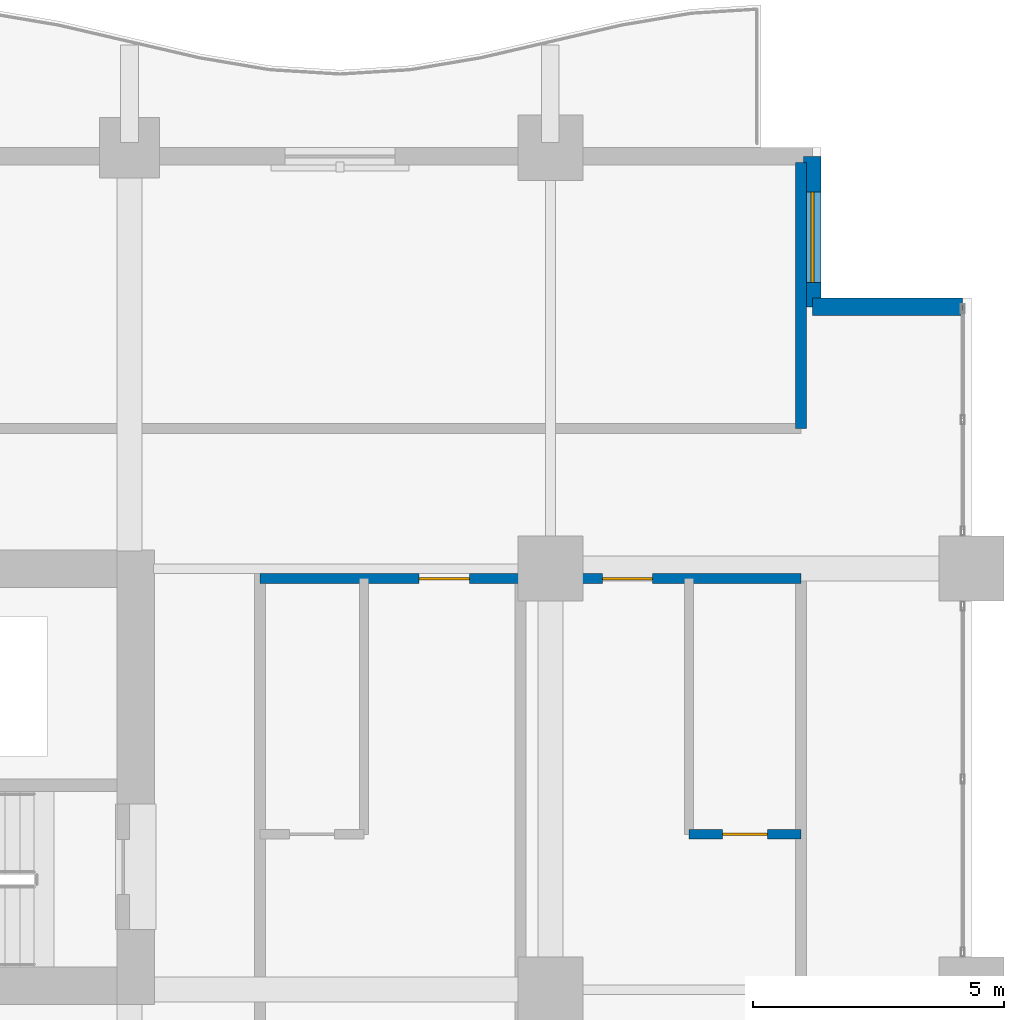
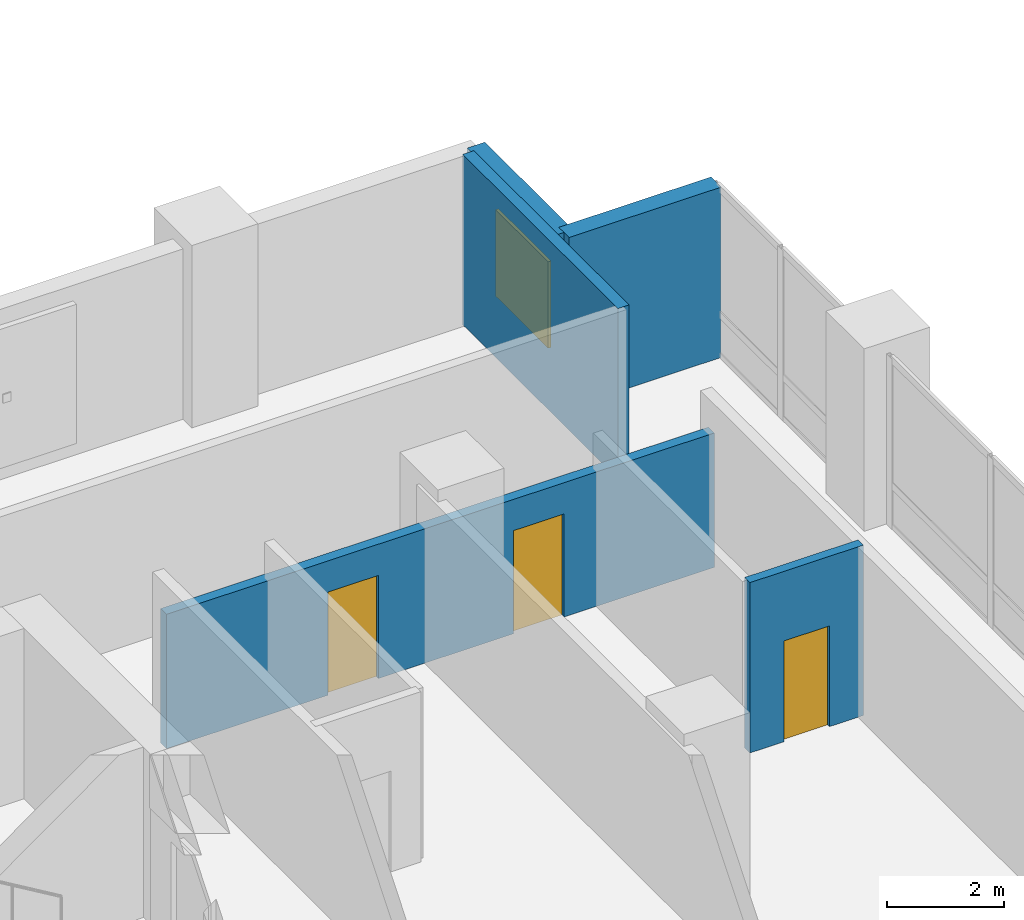
# One storey, part 15 of 24: 5 walls, 3 doors, 1 window, 4 openings.
"""IFC4 building model written with IfcOpenShell, lengths in metres."""

from ifc_helpers import new_model, si_unit, direction, frame, frame_2d, origin, place, context, subcontext, project, spatial, rectangle, extrude, material, layer, layer_set, type_object, element, fill, save


model = new_model("IFC4")

# Units and contexts
model_context = context("Model", 3, precision=1e-05, world=origin(), true_north=direction((0.0, 1.0)))
body_context = subcontext(model_context, "Body", "Model", "MODEL_VIEW")
ifc_project = project(units=[si_unit("LENGTHUNIT", "METRE"), si_unit("AREAUNIT", "SQUARE_METRE"), si_unit("VOLUMEUNIT", "CUBIC_METRE"), si_unit("PLANEANGLEUNIT", "RADIAN"), si_unit("MASSUNIT", "GRAM", prefix="KILO")], contexts=[model_context])

# Site, building, storey
site_placement = place(None, origin())
site = spatial("IfcSite", under=ifc_project, at=site_placement, CompositionType="ELEMENT")
building_placement = place(site_placement, origin())
building = spatial("IfcBuilding", under=site, at=building_placement, Name="Koriwani Terraces Tower", CompositionType="ELEMENT")
storey_placement = place(building_placement, frame((0.0, 0.0, 103.800048828125)))
storey = spatial("IfcBuildingStorey", under=building, at=storey_placement, Name="L24", CompositionType="ELEMENT", Elevation=103.800048828125)

# Wall, openings, doors
ifc_material_1 = material(Name="Autoclaved Cellular Concrete Blockwork", Category="masonry")
ifc_layer_1 = layer(ifc_material_1, 0.199951171875, Name="Autoclaved Cellular Concrete Blockwork")
ifc_layer_set_1 = layer_set([ifc_layer_1], Name="Autoclaved Cellular Concrete Blockwork")
wall_type_1 = type_object("IfcWallType", Name="WALL_CORRIDOR_200", PredefinedType="PARTITIONING", material=ifc_layer_set_1)
wall_1_placement = place(storey_placement, frame((61.39990234375, 25.0, 0.0), z_axis=(0.0, 0.0, 1.0), x_axis=(1.0, 0.0, 0.0)))
wall_1 = element("IfcWall", 1, at=wall_1_placement, inside=storey, type_object=wall_type_1, Name="L24 Interior Wall WCOR-L24-SE-0", PredefinedType="PARTITIONING", context=body_context, shape_type="SweptSolid", body=[
    extrude(rectangle(XDim=10.800048828125, YDim=0.199951171875, at=frame_2d((5.39990234375, 0.0))), origin(), (0.0, 0.0, 1.0), 2.800048828125),
])
opening_1_placement = place(wall_1_placement, frame((3.179931640625, 0.0, 0.0)))
opening_1 = element("IfcOpeningElement", 2, at=opening_1_placement, cuts=wall_1, Name="Opening D-05", PredefinedType="OPENING", context=body_context, shape_type="SweptSolid", body=[
    extrude(rectangle(XDim=1.0, YDim=2.14990234375, at=frame_2d((0.5, 1.074951171875))), frame((0.0, 0.10986328125, 0.0), z_axis=(0.0, -1.0, 0.0), x_axis=(1.0, 0.0, 0.0)), (0.0, 0.0, 1.0), 0.219970703125),
])
opening_2_placement = place(wall_1_placement, frame((6.840087890625, 0.0, 0.0)))
opening_2 = element("IfcOpeningElement", 3, at=opening_2_placement, cuts=wall_1, Name="Opening D-05", PredefinedType="OPENING", context=body_context, shape_type="SweptSolid", body=[
    extrude(rectangle(XDim=1.0, YDim=2.14990234375, at=frame_2d((0.5, 1.074951171875))), frame((0.0, 0.10986328125, 0.0), z_axis=(0.0, -1.0, 0.0), x_axis=(1.0, 0.0, 0.0)), (0.0, 0.0, 1.0), 0.219970703125),
])
ifc_material_2 = material(Name="Architectural Oak Fire Door", Category="wood")
door_type_1 = type_object("IfcDoorType", Name="DOOR_SUITE_ENTRY_1000X2150", OperationType="NOTDEFINED", PredefinedType="DOOR", material=ifc_material_2)
door_1_placement = place(opening_1_placement, origin())
door_1 = element("IfcDoor", 4, at=door_1_placement, inside=storey, type_object=door_type_1, Name="Luxury Hotel Suite 24SE1 Entrance Door", OperationType="SINGLE_SWING_LEFT", OverallHeight=2.14990234375, OverallWidth=1.0, PredefinedType="DOOR", context=body_context, shape_type="SweptSolid", body=[
    extrude(rectangle(XDim=1.0, YDim=2.14990234375, at=frame_2d((0.5, 1.074951171875))), frame((0.0, 0.02490234375, 0.0), z_axis=(0.0, -1.0, 0.0), x_axis=(1.0, 0.0, 0.0)), (0.0, 0.0, 1.0), 0.050048828125),
])
fill(opening_1, door_1)
door_2_placement = place(opening_2_placement, origin())
door_2 = element("IfcDoor", 5, at=door_2_placement, inside=storey, type_object=door_type_1, Name="Luxury Hotel Suite 24SE2 Entrance Door", OperationType="SINGLE_SWING_LEFT", OverallHeight=2.14990234375, OverallWidth=1.0, PredefinedType="DOOR", context=body_context, shape_type="SweptSolid", body=[
    extrude(rectangle(XDim=1.0, YDim=2.14990234375, at=frame_2d((0.5, 1.074951171875))), frame((0.0, 0.02490234375, 0.0), z_axis=(0.0, -1.0, 0.0), x_axis=(1.0, 0.0, 0.0)), (0.0, 0.0, 1.0), 0.050048828125),
])
fill(opening_2, door_2)

# Wall
ifc_layer_2 = layer(ifc_material_1, 0.219970703125, Name="Autoclaved Cellular Concrete Blockwork")
ifc_layer_set_2 = layer_set([ifc_layer_2], Name="Autoclaved Cellular Concrete Blockwork")
wall_type_2 = type_object("IfcWallType", Name="WALL_DEMISING_220", PredefinedType="PARTITIONING", material=ifc_layer_set_2)
wall_2_placement = place(storey_placement, frame((72.199951171875, 28.0, 0.0), z_axis=(0.0, 0.0, 1.0), x_axis=(0.0, 1.0, 0.0)))
element("IfcWall", 6, at=wall_2_placement, inside=storey, type_object=wall_type_2, Name="L24 Interior Wall WSEC-E-L24", PredefinedType="PARTITIONING", context=body_context, shape_type="SweptSolid", body=[
    extrude(rectangle(XDim=5.300048828125, YDim=0.219970703125, at=frame_2d((2.64990234375, 0.0))), origin(), (0.0, 0.0, 1.0), 3.550048828125),
])

# Wall, opening, window
ifc_material_3 = material(Name="Concrete C50/60", Category="concrete")
ifc_layer_3 = layer(ifc_material_3, 0.35009765625, Name="Concrete C50/60")
ifc_layer_set_3 = layer_set([ifc_layer_3], Name="Concrete C50/60")
wall_type_3 = type_object("IfcWallType", Name="WALL_EXT_BRUTALIST_350", PredefinedType="STANDARD", material=ifc_layer_set_3)
wall_3_placement = place(storey_placement, frame((72.425048828125, 33.425048828125, 0.0), z_axis=(0.0, 0.0, 1.0), x_axis=(0.0, -1.0, 0.0)))
wall_3 = element("IfcWall", 7, at=wall_3_placement, inside=storey, type_object=wall_type_3, Name="L24 Fair-Faced Brutalist Exterior Wall (N10)", PredefinedType="STANDARD", context=body_context, shape_type="SweptSolid", body=[
    extrude(rectangle(XDim=3.0, YDim=0.35009765625, at=frame_2d((1.5, 0.0))), origin(), (0.0, 0.0, 1.0), 3.550048828125),
])
opening_3_placement = place(wall_3_placement, frame((0.71240234375, 0.0, 0.85009765625)))
opening_3 = element("IfcOpeningElement", 8, at=opening_3_placement, cuts=wall_3, Name="Opening W-04", PredefinedType="OPENING", context=body_context, shape_type="SweptSolid", body=[
    extrude(rectangle(XDim=1.800048828125, YDim=1.800048828125, at=frame_2d((0.89990234375, 0.89990234375))), frame((0.0, 0.18505859375, 0.0), z_axis=(0.0, -1.0, 0.0), x_axis=(1.0, 0.0, 0.0)), (0.0, 0.0, 1.0), 0.3701171875),
])
ifc_material_4 = material(Name="Tempered Laminated Low-E Glass", Category="glass")
window_type = type_object("IfcWindowType", Name="WIN_RES_BED_1800X1800", PartitioningType="DOUBLE_PANEL_VERTICAL", PredefinedType="WINDOW", material=ifc_material_4)
window_placement = place(opening_3_placement, origin())
window = element("IfcWindow", 9, at=window_placement, inside=storey, type_object=window_type, Name="L24 Exterior Window (N10-R56)", OverallHeight=1.800048828125, OverallWidth=1.800048828125, PartitioningType="SINGLE_PANEL", PredefinedType="WINDOW", context=body_context, shape_type="SweptSolid", body=[
    extrude(rectangle(XDim=1.800048828125, YDim=1.800048828125, at=frame_2d((0.89990234375, 0.89990234375))), frame((0.0, 0.030029296875, 0.0), z_axis=(0.0, -1.0, 0.0), x_axis=(1.0, 0.0, 0.0)), (0.0, 0.0, 1.0), 0.06005859375),
])
fill(opening_3, window)

# Wall
wall_4_placement = place(storey_placement, frame((72.425048828125, 30.425048828125, 0.0), z_axis=(0.0, 0.0, 1.0), x_axis=(1.0, 0.0, 0.0)))
element("IfcWall", 10, at=wall_4_placement, inside=storey, type_object=wall_type_3, Name="L24 Fair-Faced Brutalist Exterior Wall (N11)", PredefinedType="STANDARD", context=body_context, shape_type="SweptSolid", body=[
    extrude(rectangle(XDim=3.0, YDim=0.35009765625, at=frame_2d((1.5, 0.0))), origin(), (0.0, 0.0, 1.0), 3.550048828125),
])

# Wall, opening, door
ifc_material_5 = material(Name="Fire-Rated Acoustic Gypsum Partition", Category="masonry")
ifc_layer_4 = layer(ifc_material_5, 0.179931640625, Name="Fire-Rated Acoustic Gypsum Partition")
ifc_layer_set_4 = layer_set([ifc_layer_4], Name="Fire-Rated Acoustic Gypsum Partition")
wall_type_4 = type_object("IfcWallType", Name="WALL_PLUMBING_180", PredefinedType="PLUMBINGWALL", material=ifc_layer_set_4)
wall_5_placement = place(storey_placement, frame((69.9599609375, 19.89990234375, 0.0), z_axis=(0.0, 0.0, 1.0), x_axis=(1.0, 0.0, 0.0)))
wall_5 = element("IfcWall", 11, at=wall_5_placement, inside=storey, type_object=wall_type_4, Name="L24 Interior Wall WBTH1-L24-SE-1", PredefinedType="PLUMBINGWALL", context=body_context, shape_type="SweptSolid", body=[
    extrude(rectangle(XDim=2.239990234375, YDim=0.179931640625, at=frame_2d((1.1201171875, 0.0))), origin(), (0.0, 0.0, 1.0), 3.550048828125),
])
opening_4_placement = place(wall_5_placement, frame((0.669921875, 0.0, 0.0)))
opening_4 = element("IfcOpeningElement", 12, at=opening_4_placement, cuts=wall_5, Name="Opening D-07", PredefinedType="OPENING", context=body_context, shape_type="SweptSolid", body=[
    extrude(rectangle(XDim=0.89990234375, YDim=2.10009765625, at=frame_2d((0.449951171875, 1.050048828125))), frame((0.0, 0.10009765625, 0.0), z_axis=(0.0, -1.0, 0.0), x_axis=(1.0, 0.0, 0.0)), (0.0, 0.0, 1.0), 0.199951171875),
])
door_type_2 = type_object("IfcDoorType", Name="DOOR_BATH_INT_900X2100", OperationType="NOTDEFINED", PredefinedType="DOOR", material=ifc_material_2)
door_3_placement = place(opening_4_placement, origin())
door_3 = element("IfcDoor", 13, at=door_3_placement, inside=storey, type_object=door_type_2, Name="En-Suite Bathroom 24SE2 Door", OperationType="SINGLE_SWING_RIGHT", OverallHeight=2.10009765625, OverallWidth=0.89990234375, PredefinedType="DOOR", context=body_context, shape_type="SweptSolid", body=[
    extrude(rectangle(XDim=0.89990234375, YDim=2.10009765625, at=frame_2d((0.449951171875, 1.050048828125))), frame((0.0, 0.02490234375, 0.0), z_axis=(0.0, -1.0, 0.0), x_axis=(1.0, 0.0, 0.0)), (0.0, 0.0, 1.0), 0.050048828125),
])
fill(opening_4, door_3)

save(model, "model.ifc")
